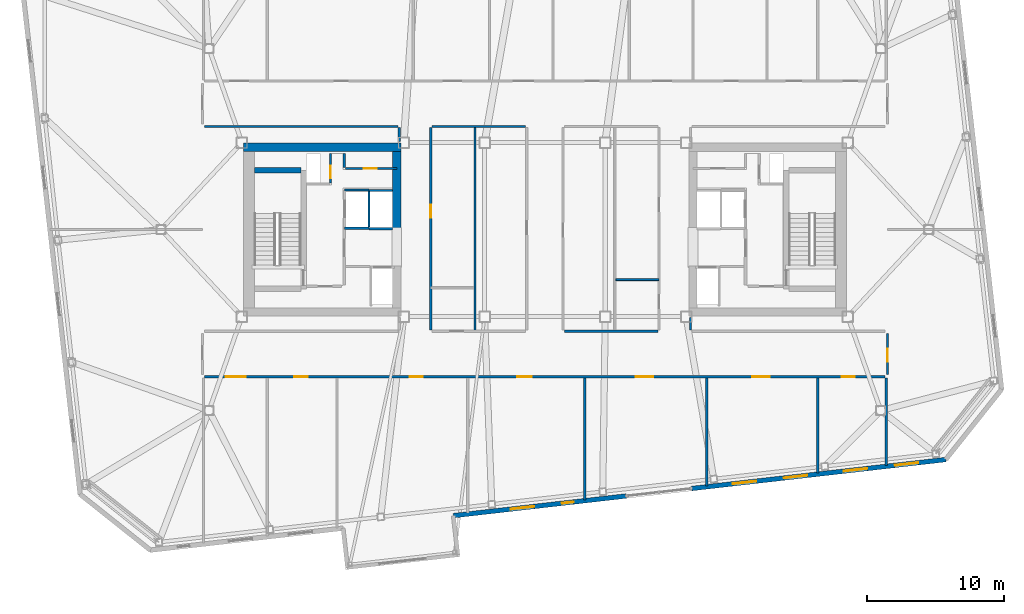
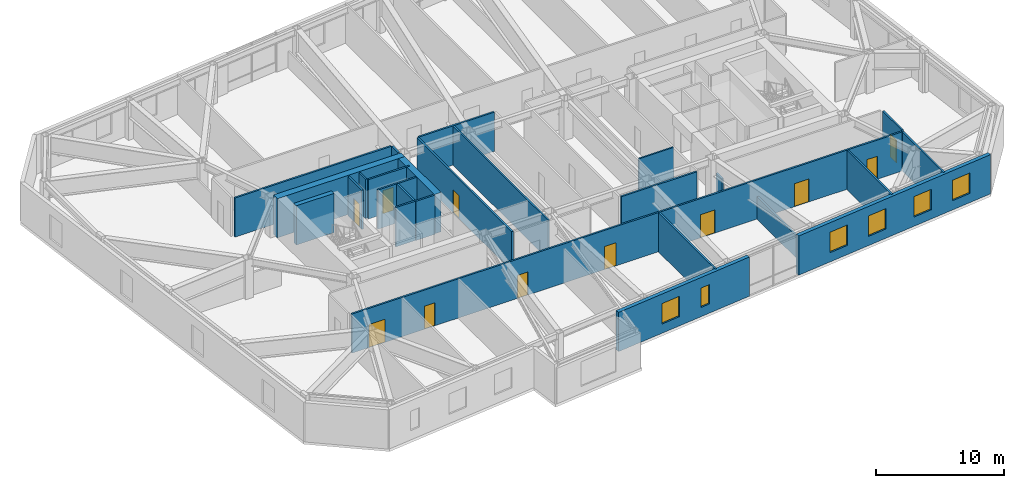
# One storey, part 12 of 18: 27 walls, 11 doors, 6 windows, 17 openings.
"""IFC4 building model written with IfcOpenShell, lengths in metres."""

from ifc_helpers import new_model, si_unit, direction, frame, frame_2d, origin, place, context, subcontext, project, spatial, rectangle, extrude, material, layer, layer_set, type_object, element, fill, save


model = new_model("IFC4")

# Units and contexts
model_context = context("Model", 3, precision=1e-05, world=origin(), true_north=direction((0.0, 1.0)))
body_context = subcontext(model_context, "Body", "Model", "MODEL_VIEW")
ifc_project = project(units=[si_unit("LENGTHUNIT", "METRE"), si_unit("AREAUNIT", "SQUARE_METRE"), si_unit("VOLUMEUNIT", "CUBIC_METRE"), si_unit("PLANEANGLEUNIT", "RADIAN"), si_unit("MASSUNIT", "GRAM", prefix="KILO")], contexts=[model_context])

# Site, building, storey
site_placement = place(None, origin())
site = spatial("IfcSite", under=ifc_project, at=site_placement, CompositionType="ELEMENT")
building_placement = place(site_placement, origin())
building = spatial("IfcBuilding", under=site, at=building_placement, Name="Tavrogorsk Clinical Tower", CompositionType="ELEMENT")
storey_placement = place(building_placement, frame((0.0, 0.0, 226.199951171875)))
storey = spatial("IfcBuildingStorey", under=building, at=storey_placement, Name="L52", CompositionType="ELEMENT", Elevation=226.199951171875)

# Walls
ifc_material_1 = material(Name="Lightweight concrete blockwork B15", Category="masonry")
ifc_layer_1 = layer(ifc_material_1, 0.139892578125)
ifc_layer_set_1 = layer_set([ifc_layer_1], Name="Lightweight concrete blockwork B15")
wall_type_1 = type_object("IfcWallType", Name="PartitionWall_140", PredefinedType="PARTITIONING", material=ifc_layer_set_1)
wall_1_placement = place(storey_placement, frame((-5.10009765625, -7.4150390625, 0.0), z_axis=(0.0, 0.0, 1.0), x_axis=(0.0, 1.0, 0.0)))
element("IfcWall", 1, at=wall_1_placement, inside=storey, type_object=wall_type_1, Name="L52 Central Spine Partition 1", PredefinedType="PARTITIONING", context=body_context, shape_type="SweptSolid", body=[
    extrude(rectangle(XDim=14.929931640625, YDim=0.139892578125, at=frame_2d((7.46484375, 0.0))), origin(), (0.0, 0.0, 1.0), 3.739990234375),
])
wall_2_placement = place(storey_placement, frame((5.175048828125, -3.64990234375, 0.0), z_axis=(0.0, 0.0, 1.0), x_axis=(1.0, 0.0, 0.0)))
element("IfcWall", 2, at=wall_2_placement, inside=storey, type_object=wall_type_1, Name="L52 Central Spine Partition 4", PredefinedType="PARTITIONING", context=body_context, shape_type="SweptSolid", body=[
    extrude(rectangle(XDim=3.139892578125, YDim=0.139892578125, at=frame_2d((1.56982421875, 0.0))), origin(), (0.0, 0.0, 1.0), 3.739990234375),
])

# Wall, opening, door
ifc_material_2 = material(Name="Lightweight concrete blockwork B15", Category="masonry")
ifc_layer_2 = layer(ifc_material_2, 0.159912109375)
ifc_layer_set_2 = layer_set([ifc_layer_2], Name="Lightweight concrete blockwork B15")
wall_type_2 = type_object("IfcWallType", Name="PartitionWall_160", PredefinedType="PARTITIONING", material=ifc_layer_set_2)
wall_3_placement = place(storey_placement, frame((-14.554931640625, 4.4599609375, 0.0), z_axis=(0.0, 0.0, 1.0), x_axis=(1.0, 0.0, 0.0)))
wall_3 = element("IfcWall", 3, at=wall_3_placement, inside=storey, type_object=wall_type_2, Name="L52 Core West Pneumatic Dispatch South Wall", PredefinedType="PARTITIONING", context=body_context, shape_type="SweptSolid", body=[
    extrude(rectangle(XDim=3.7548828125, YDim=0.159912109375, at=frame_2d((1.87744140625, 0.0))), origin(), (0.0, 0.0, 1.0), 3.739990234375),
])
opening_1_placement = place(wall_3_placement, frame((1.35009765625, 0.0, 0.0)))
opening_1 = element("IfcOpeningElement", 4, at=opening_1_placement, cuts=wall_3, Name="Opening ID-02", PredefinedType="OPENING", context=body_context, shape_type="SweptSolid", body=[
    extrude(rectangle(XDim=0.949951171875, YDim=2.199951171875, at=frame_2d((0.47509765625, 1.10009765625))), frame((0.0, 0.08984375, 0.0), z_axis=(0.0, -1.0, 0.0), x_axis=(1.0, 0.0, 0.0)), (0.0, 0.0, 1.0), 0.179931640625),
])
ifc_material_3 = material(Name="Laminated timber leaf on aluminium frame", Category="wood")
door_type_1 = type_object("IfcDoorType", Name="InteriorDoor_ID02_950", OperationType="NOTDEFINED", PredefinedType="DOOR", material=ifc_material_3)
door_1_placement = place(opening_1_placement, origin())
door_1 = element("IfcDoor", 5, at=door_1_placement, inside=storey, type_object=door_type_1, Name="L52 Core West Pneumatic Dispatch Door", OperationType="SINGLE_SWING_LEFT", OverallHeight=2.199951171875, OverallWidth=0.949951171875, PredefinedType="DOOR", context=body_context, shape_type="SweptSolid", body=[
    extrude(rectangle(XDim=0.949951171875, YDim=2.199951171875, at=frame_2d((0.47509765625, 1.10009765625))), frame((0.0, 0.02490234375, 0.0), z_axis=(0.0, -1.0, 0.0), x_axis=(1.0, 0.0, 0.0)), (0.0, 0.0, 1.0), 0.050048828125),
])
fill(opening_1, door_1)

# Walls
for number, where, z_axis, x_axis, name in (
    (6, (-14.639892578125, 4.544921875, 0.0), (0.0, 0.0, 1.0), (0.0, 1.0, 0.0), "L52 Core West Pneumatic Dispatch East Wall"),
    (7, (-10.6298828125, 6.419921875, 0.0), (0.0, 0.0, 1.0), (0.0, 1.0, 0.0), "L52 Corridor Partition 04"),
):
    element("IfcWall", number, at=place(storey_placement, frame(where, z_axis=z_axis, x_axis=x_axis)), inside=storey, type_object=wall_type_2, Name=name, PredefinedType="PARTITIONING", context=body_context, shape_type="SweptSolid", body=[
        extrude(rectangle(XDim=1.01513671875, YDim=0.159912109375, at=frame_2d((0.507568359375, 0.0))), origin(), (0.0, 0.0, 1.0), 3.739990234375),
    ])
wall_4_placement = place(storey_placement, frame((-10.715087890625, 7.52001953125, 0.0), z_axis=(0.0, 0.0, 1.0), x_axis=(-1.0, 0.0, 0.0)))
element("IfcWall", 8, at=wall_4_placement, inside=storey, type_object=wall_type_2, Name="L52 Corridor Partition 05", PredefinedType="PARTITIONING", context=body_context, shape_type="SweptSolid", body=[
    extrude(rectangle(XDim=14.099853515625, YDim=0.159912109375, at=frame_2d((7.0498046875, 0.0))), origin(), (0.0, 0.0, 1.0), 3.739990234375),
])
wall_5_placement = place(storey_placement, frame((10.6298828125, -6.419921875, 0.0), z_axis=(0.0, 0.0, 1.0), x_axis=(0.0, -1.0, 0.0)))
element("IfcWall", 9, at=wall_5_placement, inside=storey, type_object=wall_type_2, Name="L52 Corridor Partition 11", PredefinedType="PARTITIONING", context=body_context, shape_type="SweptSolid", body=[
    extrude(rectangle(XDim=0.9150390625, YDim=0.159912109375, at=frame_2d((0.45751953125, 0.0))), origin(), (0.0, 0.0, 1.0), 2.135009765625),
])

# Wall, opening, door
wall_6_placement = place(storey_placement, frame((24.97998046875, -7.5849609375, 0.0), z_axis=(0.0, 0.0, 1.0), x_axis=(0.0, -1.0, 0.0)))
wall_6 = element("IfcWall", 10, at=wall_6_placement, inside=storey, type_object=wall_type_2, Name="L52 Corridor Partition 13", PredefinedType="PARTITIONING", context=body_context, shape_type="SweptSolid", body=[
    extrude(rectangle(XDim=2.97998046875, YDim=0.159912109375, at=frame_2d((1.489990234375, 0.0))), origin(), (0.0, 0.0, 1.0), 3.739990234375),
])
opening_2_placement = place(wall_6_placement, frame((1.10009765625, 0.0, 0.0)))
opening_2 = element("IfcOpeningElement", 11, at=opening_2_placement, cuts=wall_6, Name="Opening ID-02", PredefinedType="OPENING", context=body_context, shape_type="SweptSolid", body=[
    extrude(rectangle(XDim=0.949951171875, YDim=2.199951171875, at=frame_2d((0.47509765625, 1.10009765625))), frame((0.0, 0.08984375, 0.0), z_axis=(0.0, -1.0, 0.0), x_axis=(1.0, 0.0, 0.0)), (0.0, 0.0, 1.0), 0.179931640625),
])
door_2_placement = place(opening_2_placement, origin())
door_2 = element("IfcDoor", 12, at=door_2_placement, inside=storey, type_object=door_type_1, Name="L52 E Senior Clinician Suite 1 Door", OperationType="SINGLE_SWING_LEFT", OverallHeight=2.199951171875, OverallWidth=0.949951171875, PredefinedType="DOOR", context=body_context, shape_type="SweptSolid", body=[
    extrude(rectangle(XDim=0.949951171875, YDim=2.199951171875, at=frame_2d((0.47509765625, 1.10009765625))), frame((0.0, 0.02490234375, 0.0), z_axis=(0.0, -1.0, 0.0), x_axis=(1.0, 0.0, 0.0)), (0.0, 0.0, 1.0), 0.050048828125),
])
fill(opening_2, door_2)

# Wall, openings, doors
wall_7_placement = place(storey_placement, frame((24.81494140625, -10.72998046875, 0.0), z_axis=(0.0, 0.0, 1.0), x_axis=(-1.0, 0.0, 0.0)))
wall_7 = element("IfcWall", 13, at=wall_7_placement, inside=storey, type_object=wall_type_2, Name="L52 Corridor Partition 14", PredefinedType="PARTITIONING", context=body_context, shape_type="SweptSolid", body=[
    extrude(rectangle(XDim=49.6298828125, YDim=0.159912109375, at=frame_2d((24.81494140625, 0.0))), origin(), (0.0, 0.0, 1.0), 3.739990234375),
])
opening_3_placement = place(wall_7_placement, frame((46.630859375, 0.0, 0.0)))
opening_3 = element("IfcOpeningElement", 14, at=opening_3_placement, cuts=wall_7, Name="Opening ID-05", PredefinedType="OPENING", context=body_context, shape_type="SweptSolid", body=[
    extrude(rectangle(XDim=1.449951171875, YDim=2.199951171875, at=frame_2d((0.72509765625, 1.10009765625))), frame((0.0, 0.08984375, 0.0), z_axis=(0.0, -1.0, 0.0), x_axis=(1.0, 0.0, 0.0)), (0.0, 0.0, 1.0), 0.179931640625),
])
opening_4_placement = place(wall_7_placement, frame((42.1298828125, 0.0, 0.0)))
opening_4 = element("IfcOpeningElement", 15, at=opening_4_placement, cuts=wall_7, Name="Opening ID-02", PredefinedType="OPENING", context=body_context, shape_type="SweptSolid", body=[
    extrude(rectangle(XDim=0.949951171875, YDim=2.199951171875, at=frame_2d((0.47509765625, 1.10009765625))), frame((0.0, 0.08984375, 0.0), z_axis=(0.0, -1.0, 0.0), x_axis=(1.0, 0.0, 0.0)), (0.0, 0.0, 1.0), 0.179931640625),
])
opening_5_placement = place(wall_7_placement, frame((33.739990234375, 0.0, 0.0)))
opening_5 = element("IfcOpeningElement", 16, at=opening_5_placement, cuts=wall_7, Name="Opening ID-02", PredefinedType="OPENING", context=body_context, shape_type="SweptSolid", body=[
    extrude(rectangle(XDim=0.949951171875, YDim=2.199951171875, at=frame_2d((0.47509765625, 1.10009765625))), frame((0.0, 0.08984375, 0.0), z_axis=(0.0, -1.0, 0.0), x_axis=(1.0, 0.0, 0.0)), (0.0, 0.0, 1.0), 0.179931640625),
])
opening_6_placement = place(wall_7_placement, frame((25.7900390625, 0.0, 0.0)))
opening_6 = element("IfcOpeningElement", 17, at=opening_6_placement, cuts=wall_7, Name="Opening ID-04", PredefinedType="OPENING", context=body_context, shape_type="SweptSolid", body=[
    extrude(rectangle(XDim=1.050048828125, YDim=2.199951171875, at=frame_2d((0.52490234375, 1.10009765625))), frame((0.0, 0.08984375, 0.0), z_axis=(0.0, -1.0, 0.0), x_axis=(1.0, 0.0, 0.0)), (0.0, 0.0, 1.0), 0.179931640625),
])
opening_7_placement = place(wall_7_placement, frame((16.89990234375, 0.0, 0.0)))
opening_7 = element("IfcOpeningElement", 18, at=opening_7_placement, cuts=wall_7, Name="Opening ID-01", PredefinedType="OPENING", context=body_context, shape_type="SweptSolid", body=[
    extrude(rectangle(XDim=1.300048828125, YDim=2.199951171875, at=frame_2d((0.64990234375, 1.10009765625))), frame((0.0, 0.08984375, 0.0), z_axis=(0.0, -1.0, 0.0), x_axis=(1.0, 0.0, 0.0)), (0.0, 0.0, 1.0), 0.179931640625),
])
opening_8_placement = place(wall_7_placement, frame((8.39990234375, 0.0, 0.0)))
opening_8 = element("IfcOpeningElement", 19, at=opening_8_placement, cuts=wall_7, Name="Opening ID-01", PredefinedType="OPENING", context=body_context, shape_type="SweptSolid", body=[
    extrude(rectangle(XDim=1.300048828125, YDim=2.199951171875, at=frame_2d((0.64990234375, 1.10009765625))), frame((0.0, 0.08984375, 0.0), z_axis=(0.0, -1.0, 0.0), x_axis=(1.0, 0.0, 0.0)), (0.0, 0.0, 1.0), 0.179931640625),
])
opening_9_placement = place(wall_7_placement, frame((2.218994140625, 0.0, 0.0)))
opening_9 = element("IfcOpeningElement", 20, at=opening_9_placement, cuts=wall_7, Name="Opening ID-02", PredefinedType="OPENING", context=body_context, shape_type="SweptSolid", body=[
    extrude(rectangle(XDim=0.949951171875, YDim=2.199951171875, at=frame_2d((0.47509765625, 1.10009765625))), frame((0.0, 0.08984375, 0.0), z_axis=(0.0, -1.0, 0.0), x_axis=(1.0, 0.0, 0.0)), (0.0, 0.0, 1.0), 0.179931640625),
])
ifc_material_4 = material(Name="Antibacterial HPL consultation door on aluminium frame", Category="aluminium")
door_type_2 = type_object("IfcDoorType", Name="ConsultDoor_ID04_1050", OperationType="NOTDEFINED", PredefinedType="DOOR", material=ifc_material_4)
door_3_placement = place(opening_6_placement, origin())
door_3 = element("IfcDoor", 21, at=door_3_placement, inside=storey, type_object=door_type_2, Name="L52 South Staff Rest & Nourishment Lounge 04 Door", OperationType="SINGLE_SWING_LEFT", OverallHeight=2.199951171875, OverallWidth=1.050048828125, PredefinedType="DOOR", context=body_context, shape_type="SweptSolid", body=[
    extrude(rectangle(XDim=1.050048828125, YDim=2.199951171875, at=frame_2d((0.52490234375, 1.10009765625))), frame((0.0, 0.02490234375, 0.0), z_axis=(0.0, -1.0, 0.0), x_axis=(1.0, 0.0, 0.0)), (0.0, 0.0, 1.0), 0.050048828125),
])
fill(opening_6, door_3)
ifc_material_5 = material(Name="Antibacterial HPL bariatric ward double door")
door_type_3 = type_object("IfcDoorType", Name="DoubleWardDoor_ID05_1450", OperationType="DOUBLE_SWING_LEFT", PredefinedType="DOOR", material=ifc_material_5)
door_4_placement = place(opening_3_placement, origin())
door_4 = element("IfcDoor", 22, at=door_4_placement, inside=storey, type_object=door_type_3, Name="L52 South Surgical Step-Down Ward 01 Door", OperationType="DOUBLE_SWING_LEFT", OverallHeight=2.199951171875, OverallWidth=1.449951171875, PredefinedType="DOOR", context=body_context, shape_type="SweptSolid", body=[
    extrude(rectangle(XDim=1.449951171875, YDim=2.199951171875, at=frame_2d((0.72509765625, 1.10009765625))), frame((0.0, 0.02490234375, 0.0), z_axis=(0.0, -1.0, 0.0), x_axis=(1.0, 0.0, 0.0)), (0.0, 0.0, 1.0), 0.050048828125),
])
fill(opening_3, door_4)
door_5_placement = place(opening_4_placement, origin())
door_5 = element("IfcDoor", 23, at=door_5_placement, inside=storey, type_object=door_type_1, Name="L52 South Soiled Utility & Sluice Room 02 Door", OperationType="SINGLE_SWING_LEFT", OverallHeight=2.199951171875, OverallWidth=0.949951171875, PredefinedType="DOOR", context=body_context, shape_type="SweptSolid", body=[
    extrude(rectangle(XDim=0.949951171875, YDim=2.199951171875, at=frame_2d((0.47509765625, 1.10009765625))), frame((0.0, 0.02490234375, 0.0), z_axis=(0.0, -1.0, 0.0), x_axis=(1.0, 0.0, 0.0)), (0.0, 0.0, 1.0), 0.050048828125),
])
fill(opening_4, door_5)
door_6_placement = place(opening_5_placement, origin())
door_6 = element("IfcDoor", 24, at=door_6_placement, inside=storey, type_object=door_type_1, Name="L52 South Clinical Case Seminar Room 03 Door", OperationType="SINGLE_SWING_RIGHT", OverallHeight=2.199951171875, OverallWidth=0.949951171875, PredefinedType="DOOR", context=body_context, shape_type="SweptSolid", body=[
    extrude(rectangle(XDim=0.949951171875, YDim=2.199951171875, at=frame_2d((0.47509765625, 1.10009765625))), frame((0.0, 0.02490234375, 0.0), z_axis=(0.0, -1.0, 0.0), x_axis=(1.0, 0.0, 0.0)), (0.0, 0.0, 1.0), 0.050048828125),
])
fill(opening_5, door_6)
door_7_placement = place(opening_9_placement, origin())
door_7 = element("IfcDoor", 25, at=door_7_placement, inside=storey, type_object=door_type_1, Name="L52 South Soiled Utility & Sluice Room 07 Door", OperationType="SINGLE_SWING_RIGHT", OverallHeight=2.199951171875, OverallWidth=0.949951171875, PredefinedType="DOOR", context=body_context, shape_type="SweptSolid", body=[
    extrude(rectangle(XDim=0.949951171875, YDim=2.199951171875, at=frame_2d((0.47509765625, 1.10009765625))), frame((0.0, 0.02490234375, 0.0), z_axis=(0.0, -1.0, 0.0), x_axis=(1.0, 0.0, 0.0)), (0.0, 0.0, 1.0), 0.050048828125),
])
fill(opening_9, door_7)
ifc_material_6 = material(Name="Antibacterial HPL medical leaf on aluminium frame", Category="aluminium")
door_type_4 = type_object("IfcDoorType", Name="WardBedDoor_ID01_1300", OperationType="NOTDEFINED", PredefinedType="DOOR", material=ifc_material_6)
door_8_placement = place(opening_7_placement, origin())
door_8 = element("IfcDoor", 26, at=door_8_placement, inside=storey, type_object=door_type_4, Name="L52 South Bariatric Observation Ward 05 Door", OperationType="SINGLE_SWING_RIGHT", OverallHeight=2.199951171875, OverallWidth=1.300048828125, PredefinedType="DOOR", context=body_context, shape_type="SweptSolid", body=[
    extrude(rectangle(XDim=1.300048828125, YDim=2.199951171875, at=frame_2d((0.64990234375, 1.10009765625))), frame((0.0, 0.02490234375, 0.0), z_axis=(0.0, -1.0, 0.0), x_axis=(1.0, 0.0, 0.0)), (0.0, 0.0, 1.0), 0.050048828125),
])
fill(opening_7, door_8)
door_9_placement = place(opening_8_placement, origin())
door_9 = element("IfcDoor", 27, at=door_9_placement, inside=storey, type_object=door_type_4, Name="L52 South Surgical Step-Down Ward 06 Door", OperationType="SINGLE_SWING_LEFT", OverallHeight=2.199951171875, OverallWidth=1.300048828125, PredefinedType="DOOR", context=body_context, shape_type="SweptSolid", body=[
    extrude(rectangle(XDim=1.300048828125, YDim=2.199951171875, at=frame_2d((0.64990234375, 1.10009765625))), frame((0.0, 0.02490234375, 0.0), z_axis=(0.0, -1.0, 0.0), x_axis=(1.0, 0.0, 0.0)), (0.0, 0.0, 1.0), 0.050048828125),
])
fill(opening_8, door_9)

# Walls
for number, where, z_axis, x_axis, name in (
    (28, (1.4150390625, -7.419921875, 0.0), (0.0, 0.0, 1.0), (1.0, 0.0, 0.0), "L52 Corridor Partition 17"),
    (29, (-1.4150390625, 7.52001953125, 0.0), (0.0, 0.0, 1.0), (-1.0, 0.0, 0.0), "L52 Corridor Partition 20"),
):
    element("IfcWall", number, at=place(storey_placement, frame(where, z_axis=z_axis, x_axis=x_axis)), inside=storey, type_object=wall_type_2, Name=name, PredefinedType="PARTITIONING", context=body_context, shape_type="SweptSolid", body=[
        extrude(rectangle(XDim=6.820068359375, YDim=0.159912109375, at=frame_2d((3.41015625, 0.0))), origin(), (0.0, 0.0, 1.0), 3.739990234375),
    ])

# Wall, opening, door
wall_8_placement = place(storey_placement, frame((-8.320068359375, 7.43505859375, 0.0), z_axis=(0.0, 0.0, 1.0), x_axis=(0.0, -1.0, 0.0)))
wall_8 = element("IfcWall", 30, at=wall_8_placement, inside=storey, type_object=wall_type_2, Name="L52 Corridor Partition 21", PredefinedType="PARTITIONING", context=body_context, shape_type="SweptSolid", body=[
    extrude(rectangle(XDim=14.77001953125, YDim=0.159912109375, at=frame_2d((7.385009765625, 0.0))), origin(), (0.0, 0.0, 1.0), 3.739990234375),
])
opening_10_placement = place(wall_8_placement, frame((5.60400390625, 0.0, 0.0)))
opening_10 = element("IfcOpeningElement", 31, at=opening_10_placement, cuts=wall_8, Name="Opening ID-02", PredefinedType="OPENING", context=body_context, shape_type="SweptSolid", body=[
    extrude(rectangle(XDim=0.949951171875, YDim=2.199951171875, at=frame_2d((0.47509765625, 1.10009765625))), frame((0.0, 0.08984375, 0.0), z_axis=(0.0, -1.0, 0.0), x_axis=(1.0, 0.0, 0.0)), (0.0, 0.0, 1.0), 0.179931640625),
])
door_10_placement = place(opening_10_placement, origin())
door_10 = element("IfcDoor", 32, at=door_10_placement, inside=storey, type_object=door_type_1, Name="L52 Ward Nourishment Pantry Door", OperationType="SINGLE_SWING_RIGHT", OverallHeight=2.199951171875, OverallWidth=0.949951171875, PredefinedType="DOOR", context=body_context, shape_type="SweptSolid", body=[
    extrude(rectangle(XDim=0.949951171875, YDim=2.199951171875, at=frame_2d((0.47509765625, 1.10009765625))), frame((0.0, 0.02490234375, 0.0), z_axis=(0.0, -1.0, 0.0), x_axis=(1.0, 0.0, 0.0)), (0.0, 0.0, 1.0), 0.050048828125),
])
fill(opening_10, door_10)

# Walls
wall_9_placement = place(storey_placement, frame((24.89990234375, -17.199462890625, 0.0), z_axis=(0.0, 0.0, 1.0), x_axis=(0.0, 1.0, 0.0)))
element("IfcWall", 33, at=wall_9_placement, inside=storey, type_object=wall_type_2, Name="L52 SE Wing Closure Partition", PredefinedType="PARTITIONING", context=body_context, shape_type="SweptSolid", body=[
    extrude(rectangle(XDim=6.384521484375, YDim=0.159912109375, at=frame_2d((3.1923828125, 0.0))), origin(), (0.0, 0.0, 1.0), 3.739990234375),
])
wall_10_placement = place(storey_placement, frame((2.89990234375, -19.7060546875, 0.0), z_axis=(0.0, 0.0, 1.0), x_axis=(0.0, 1.0, 0.0)))
element("IfcWall", 34, at=wall_10_placement, inside=storey, type_object=wall_type_2, Name="L52 South Room Partition 4", PredefinedType="PARTITIONING", context=body_context, shape_type="SweptSolid", body=[
    extrude(rectangle(XDim=8.89111328125, YDim=0.159912109375, at=frame_2d((4.445556640625, 0.0))), origin(), (0.0, 0.0, 1.0), 3.739990234375),
])
wall_11_placement = place(storey_placement, frame((11.800048828125, -18.69189453125, 0.0), z_axis=(0.0, 0.0, 1.0), x_axis=(0.0, 1.0, 0.0)))
element("IfcWall", 35, at=wall_11_placement, inside=storey, type_object=wall_type_2, Name="L52 South Room Partition 5", PredefinedType="PARTITIONING", context=body_context, shape_type="SweptSolid", body=[
    extrude(rectangle(XDim=7.876953125, YDim=0.159912109375, at=frame_2d((3.9384765625, 0.0))), origin(), (0.0, 0.0, 1.0), 2.135009765625),
])
wall_12_placement = place(storey_placement, frame((19.89990234375, -17.76904296875, 0.0), z_axis=(0.0, 0.0, 1.0), x_axis=(0.0, 1.0, 0.0)))
element("IfcWall", 36, at=wall_12_placement, inside=storey, type_object=wall_type_2, Name="L52 South Room Partition 6", PredefinedType="PARTITIONING", context=body_context, shape_type="SweptSolid", body=[
    extrude(rectangle(XDim=6.9541015625, YDim=0.159912109375, at=frame_2d((3.47705078125, 0.0))), origin(), (0.0, 0.0, 1.0), 3.739990234375),
])

# Wall, openings, windows
ifc_material_7 = material(Name="Precast concrete B45 with limestone cladding", Category="masonry")
ifc_layer_3 = layer(ifc_material_7, 0.340087890625)
ifc_layer_set_3 = layer_set([ifc_layer_3], Name="Precast concrete B45 with limestone cladding")
wall_type_3 = type_object("IfcWallType", Name="PrecastLimestoneWall_340", PredefinedType="STANDARD", material=ifc_layer_set_3)
wall_13_placement = place(storey_placement, frame((-6.675537109375, -20.867431640625, 0.0), z_axis=(0.0, 0.0, 1.0), x_axis=(0.993572024997, 0.113201727649, 0.0)))
wall_13 = element("IfcWall", 37, at=wall_13_placement, inside=storey, type_object=wall_type_3, Name="L52 S Limestone Facade Wall 2", PredefinedType="STANDARD", context=body_context, shape_type="SweptSolid", body=[
    extrude(rectangle(XDim=12.698486328125, YDim=0.340087890625, at=frame_2d((6.34912109375, 0.0))), origin(), (0.0, 0.0, 1.0), 3.739990234375),
])
opening_11_placement = place(wall_13_placement, frame((4.225830078125, 0.0, 0.8798828125)))
opening_11 = element("IfcOpeningElement", 38, at=opening_11_placement, cuts=wall_13, Name="Opening WN-15", PredefinedType="OPENING", context=body_context, shape_type="SweptSolid", body=[
    extrude(rectangle(XDim=1.699951171875, YDim=1.949951171875, at=frame_2d((0.85009765625, 0.97509765625))), frame((0.0, 0.179931640625, 0.0), z_axis=(0.0, -1.0, 0.0), x_axis=(1.0, 0.0, 0.0)), (0.0, 0.0, 1.0), 0.360107421875),
])
opening_12_placement = place(wall_13_placement, frame((7.97412109375, 0.0, 0.8798828125)))
opening_12 = element("IfcOpeningElement", 39, at=opening_12_placement, cuts=wall_13, Name="Opening WN-06", PredefinedType="OPENING", context=body_context, shape_type="SweptSolid", body=[
    extrude(rectangle(XDim=0.85009765625, YDim=1.85009765625, at=frame_2d((0.425048828125, 0.925048828125))), frame((0.0, 0.179931640625, 0.0), z_axis=(0.0, -1.0, 0.0), x_axis=(1.0, 0.0, 0.0)), (0.0, 0.0, 1.0), 0.360107421875),
])
ifc_material_8 = material(Name="Thermally broken aluminium frame and triple IGU", Category="aluminium")
window_type_1 = type_object("IfcWindowType", Name="MullionSubWin_850x1850", PartitioningType="SINGLE_PANEL", PredefinedType="WINDOW", material=ifc_material_8)
window_1_placement = place(opening_12_placement, origin())
window_1 = element("IfcWindow", 40, at=window_1_placement, inside=storey, type_object=window_type_1, Name="L52 S Mullion Split Window 06A", OverallHeight=1.85009765625, OverallWidth=0.85009765625, PartitioningType="SINGLE_PANEL", PredefinedType="WINDOW", context=body_context, shape_type="SweptSolid", body=[
    extrude(rectangle(XDim=0.85009765625, YDim=1.85009765625, at=frame_2d((0.425048828125, 0.925048828125))), frame((0.0, 0.030029296875, 0.0), z_axis=(0.0, -1.0, 0.0), x_axis=(1.0, 0.0, 0.0)), (0.0, 0.0, 1.0), 0.06005859375),
])
fill(opening_12, window_1)
ifc_material_9 = material(Name="Thermally broken aluminium frame and triple IGU", Category="aluminium")
window_type_2 = type_object("IfcWindowType", Name="OfficeChicagoWin_1700x1950", PartitioningType="SINGLE_PANEL", PredefinedType="WINDOW", material=ifc_material_9)
window_2_placement = place(opening_11_placement, origin())
window_2 = element("IfcWindow", 41, at=window_2_placement, inside=storey, type_object=window_type_2, Name="L52 S Chicago Window 05", OverallHeight=1.949951171875, OverallWidth=1.699951171875, PartitioningType="SINGLE_PANEL", PredefinedType="WINDOW", context=body_context, shape_type="SweptSolid", body=[
    extrude(rectangle(XDim=1.699951171875, YDim=1.949951171875, at=frame_2d((0.85009765625, 0.97509765625))), frame((0.0, 0.030029296875, 0.0), z_axis=(0.0, -1.0, 0.0), x_axis=(1.0, 0.0, 0.0)), (0.0, 0.0, 1.0), 0.06005859375),
])
fill(opening_11, window_2)

wall_14_placement = place(storey_placement, frame((10.71044921875, -18.886474609375, 0.0), z_axis=(0.0, 0.0, 1.0), x_axis=(0.993572271362, 0.113199565282, 0.0)))
wall_14 = element("IfcWall", 42, at=wall_14_placement, inside=storey, type_object=wall_type_3, Name="L52 S Limestone Facade Wall 3", PredefinedType="STANDARD", context=body_context, shape_type="SweptSolid", body=[
    extrude(rectangle(XDim=18.6513671875, YDim=0.340087890625, at=frame_2d((9.32568359375, 0.0))), origin(), (0.0, 0.0, 1.0), 3.739990234375),
])
opening_13_placement = place(wall_14_placement, frame((3.0244140625, 0.0, 0.8798828125)))
opening_13 = element("IfcOpeningElement", 43, at=opening_13_placement, cuts=wall_14, Name="Opening WN-15", PredefinedType="OPENING", context=body_context, shape_type="SweptSolid", body=[
    extrude(rectangle(XDim=1.699951171875, YDim=1.949951171875, at=frame_2d((0.85009765625, 0.97509765625))), frame((0.0, 0.179931640625, 0.0), z_axis=(0.0, -1.0, 0.0), x_axis=(1.0, 0.0, 0.0)), (0.0, 0.0, 1.0), 0.360107421875),
])
opening_14_placement = place(wall_14_placement, frame((6.772705078125, 0.0, 0.8798828125)))
opening_14 = element("IfcOpeningElement", 44, at=opening_14_placement, cuts=wall_14, Name="Opening WN-15", PredefinedType="OPENING", context=body_context, shape_type="SweptSolid", body=[
    extrude(rectangle(XDim=1.699951171875, YDim=1.949951171875, at=frame_2d((0.85009765625, 0.97509765625))), frame((0.0, 0.179931640625, 0.0), z_axis=(0.0, -1.0, 0.0), x_axis=(1.0, 0.0, 0.0)), (0.0, 0.0, 1.0), 0.360107421875),
])
opening_15_placement = place(wall_14_placement, frame((11.1728515625, 0.0, 0.8798828125)))
opening_15 = element("IfcOpeningElement", 45, at=opening_15_placement, cuts=wall_14, Name="Opening WN-15", PredefinedType="OPENING", context=body_context, shape_type="SweptSolid", body=[
    extrude(rectangle(XDim=1.699951171875, YDim=1.949951171875, at=frame_2d((0.85009765625, 0.97509765625))), frame((0.0, 0.179931640625, 0.0), z_axis=(0.0, -1.0, 0.0), x_axis=(1.0, 0.0, 0.0)), (0.0, 0.0, 1.0), 0.360107421875),
])
opening_16_placement = place(wall_14_placement, frame((14.921142578125, 0.0, 0.8798828125)))
opening_16 = element("IfcOpeningElement", 46, at=opening_16_placement, cuts=wall_14, Name="Opening WN-15", PredefinedType="OPENING", context=body_context, shape_type="SweptSolid", body=[
    extrude(rectangle(XDim=1.699951171875, YDim=1.949951171875, at=frame_2d((0.85009765625, 0.97509765625))), frame((0.0, 0.179931640625, 0.0), z_axis=(0.0, -1.0, 0.0), x_axis=(1.0, 0.0, 0.0)), (0.0, 0.0, 1.0), 0.360107421875),
])
window_3_placement = place(opening_13_placement, origin())
window_3 = element("IfcWindow", 47, at=window_3_placement, inside=storey, type_object=window_type_2, Name="L52 S Chicago Window 07", OverallHeight=1.949951171875, OverallWidth=1.699951171875, PartitioningType="SINGLE_PANEL", PredefinedType="WINDOW", context=body_context, shape_type="SweptSolid", body=[
    extrude(rectangle(XDim=1.699951171875, YDim=1.949951171875, at=frame_2d((0.85009765625, 0.97509765625))), frame((0.0, 0.030029296875, 0.0), z_axis=(0.0, -1.0, 0.0), x_axis=(1.0, 0.0, 0.0)), (0.0, 0.0, 1.0), 0.06005859375),
])
fill(opening_13, window_3)
window_4_placement = place(opening_14_placement, origin())
window_4 = element("IfcWindow", 48, at=window_4_placement, inside=storey, type_object=window_type_2, Name="L52 S Chicago Window 08", OverallHeight=1.949951171875, OverallWidth=1.699951171875, PartitioningType="SINGLE_PANEL", PredefinedType="WINDOW", context=body_context, shape_type="SweptSolid", body=[
    extrude(rectangle(XDim=1.699951171875, YDim=1.949951171875, at=frame_2d((0.85009765625, 0.97509765625))), frame((0.0, 0.030029296875, 0.0), z_axis=(0.0, -1.0, 0.0), x_axis=(1.0, 0.0, 0.0)), (0.0, 0.0, 1.0), 0.06005859375),
])
fill(opening_14, window_4)
window_5_placement = place(opening_15_placement, origin())
window_5 = element("IfcWindow", 49, at=window_5_placement, inside=storey, type_object=window_type_2, Name="L52 S Chicago Window 09", OverallHeight=1.949951171875, OverallWidth=1.699951171875, PartitioningType="SINGLE_PANEL", PredefinedType="WINDOW", context=body_context, shape_type="SweptSolid", body=[
    extrude(rectangle(XDim=1.699951171875, YDim=1.949951171875, at=frame_2d((0.85009765625, 0.97509765625))), frame((0.0, 0.030029296875, 0.0), z_axis=(0.0, -1.0, 0.0), x_axis=(1.0, 0.0, 0.0)), (0.0, 0.0, 1.0), 0.06005859375),
])
fill(opening_15, window_5)
window_6_placement = place(opening_16_placement, origin())
window_6 = element("IfcWindow", 50, at=window_6_placement, inside=storey, type_object=window_type_2, Name="L52 S Chicago Window 10", OverallHeight=1.949951171875, OverallWidth=1.699951171875, PartitioningType="SINGLE_PANEL", PredefinedType="WINDOW", context=body_context, shape_type="SweptSolid", body=[
    extrude(rectangle(XDim=1.699951171875, YDim=1.949951171875, at=frame_2d((0.85009765625, 0.97509765625))), frame((0.0, 0.030029296875, 0.0), z_axis=(0.0, -1.0, 0.0), x_axis=(1.0, 0.0, 0.0)), (0.0, 0.0, 1.0), 0.06005859375),
])
fill(opening_16, window_6)

# Walls
ifc_material_10 = material(Name="Lightweight concrete blockwork B25", Category="masonry")
ifc_layer_4 = layer(ifc_material_10, 0.159912109375)
ifc_layer_set_4 = layer_set([ifc_layer_4], Name="Lightweight concrete blockwork B25")
wall_type_4 = type_object("IfcWallType", Name="ShaftWall_160", PredefinedType="PARTITIONING", material=ifc_layer_set_4)
for number, where, z_axis, x_axis, name in (
    (51, (-14.60009765625, 0.10009765625, 0.0), (0.0, 0.0, 1.0), (1.0, 0.0, 0.0), "L52 FFL-W Shaft South Wall"),
    (52, (-14.60009765625, 2.8798828125, 0.0), (0.0, 0.0, 1.0), (1.0, 0.0, 0.0), "L52 FFL-W Shaft North Wall"),
):
    element("IfcWall", number, at=place(storey_placement, frame(where, z_axis=z_axis, x_axis=x_axis)), inside=storey, type_object=wall_type_4, Name=name, PredefinedType="PARTITIONING", context=body_context, shape_type="SweptSolid", body=[
        extrude(rectangle(XDim=1.760009765625, YDim=0.159912109375, at=frame_2d((0.8798828125, 0.0))), origin(), (0.0, 0.0, 1.0), 3.739990234375),
    ])
wall_15_placement = place(storey_placement, frame((-12.840087890625, 0.179931640625, 0.0), z_axis=(0.0, 0.0, 1.0), x_axis=(0.0, 1.0, 0.0)))
element("IfcWall", 53, at=wall_15_placement, inside=storey, type_object=wall_type_4, Name="L52 FFL-W Shaft Back Wall", PredefinedType="PARTITIONING", context=body_context, shape_type="SweptSolid", body=[
    extrude(rectangle(XDim=2.6201171875, YDim=0.159912109375, at=frame_2d((1.31005859375, 0.0))), origin(), (0.0, 0.0, 1.0), 3.739990234375),
])
for number, where, z_axis, x_axis, name in (
    (54, (-12.820068359375, 0.06005859375, 0.0), (0.0, 0.0, 1.0), (1.0, 0.0, 0.0), "L52 LP-H1 High-Zone Lift Portal Wall"),
    (55, (-12.820068359375, 2.860107421875, 0.0), (0.0, 0.0, 1.0), (1.0, 0.0, 0.0), "L52 LP-H1 High-Zone Lift Rear Wall"),
):
    element("IfcWall", number, at=place(storey_placement, frame(where, z_axis=z_axis, x_axis=x_axis)), inside=storey, type_object=wall_type_4, Name=name, PredefinedType="PARTITIONING", context=body_context, shape_type="SweptSolid", body=[
        extrude(rectangle(XDim=1.719970703125, YDim=0.159912109375, at=frame_2d((0.85986328125, 0.0))), origin(), (0.0, 0.0, 1.0), 3.739990234375),
    ])

# Wall, opening, door
wall_16_placement = place(storey_placement, frame((-15.639892578125, 3.405029296875, 0.0), z_axis=(0.0, 0.0, 1.0), x_axis=(0.0, 1.0, 0.0)))
wall_16 = element("IfcWall", 56, at=wall_16_placement, inside=storey, type_object=wall_type_4, Name="L52 Core West Riser West Wall", PredefinedType="PARTITIONING", context=body_context, shape_type="SweptSolid", body=[
    extrude(rectangle(XDim=2.155029296875, YDim=0.159912109375, at=frame_2d((1.07763671875, 0.0))), origin(), (0.0, 0.0, 1.0), 3.739990234375),
])
opening_17_placement = place(wall_16_placement, frame((0.35009765625, 0.0, 0.0)))
opening_17 = element("IfcOpeningElement", 57, at=opening_17_placement, cuts=wall_16, Name="Opening FD-02", PredefinedType="OPENING", context=body_context, shape_type="SweptSolid", body=[
    extrude(rectangle(XDim=0.89990234375, YDim=2.199951171875, at=frame_2d((0.449951171875, 1.10009765625))), frame((0.0, 0.08984375, 0.0), z_axis=(0.0, -1.0, 0.0), x_axis=(1.0, 0.0, 0.0)), (0.0, 0.0, 1.0), 0.179931640625),
])
ifc_material_11 = material(Name="Galvanised steel fire-rated door assembly", Category="steel")
door_type_5 = type_object("IfcDoorType", Name="FireDoor_FD02_900", OperationType="NOTDEFINED", PredefinedType="DOOR", material=ifc_material_11)
door_11_placement = place(opening_17_placement, origin())
door_11 = element("IfcDoor", 58, at=door_11_placement, inside=storey, type_object=door_type_5, Name="L52 Core West Electrical Riser Access Door", OperationType="SINGLE_SWING_LEFT", OverallHeight=2.199951171875, OverallWidth=0.89990234375, PredefinedType="DOOR", context=body_context, shape_type="SweptSolid", body=[
    extrude(rectangle(XDim=0.89990234375, YDim=2.199951171875, at=frame_2d((0.449951171875, 1.10009765625))), frame((0.0, 0.02490234375, 0.0), z_axis=(0.0, -1.0, 0.0), x_axis=(1.0, 0.0, 0.0)), (0.0, 0.0, 1.0), 0.050048828125),
])
fill(opening_17, door_11)

# Walls
ifc_material_12 = material(Name="Concrete B80", Category="concrete")
ifc_layer_5 = layer(ifc_material_12, 0.39990234375)
ifc_layer_set_5 = layer_set([ifc_layer_5], Name="Concrete B80")
wall_type_5 = type_object("IfcWallType", Name="ShearWall_400", PredefinedType="SHEAR", material=ifc_layer_set_5)
wall_17_placement = place(storey_placement, frame((-21.199951171875, 4.324951171875, 0.0), z_axis=(0.0, 0.0, 1.0), x_axis=(1.0, 0.0, 0.0)))
element("IfcWall", 59, at=wall_17_placement, inside=storey, type_object=wall_type_5, Name="L52 Core West Stair Shaft North Shear Wall", PredefinedType="SHEAR", context=body_context, shape_type="SweptSolid", body=[
    extrude(rectangle(XDim=3.39990234375, YDim=0.39990234375, at=frame_2d((1.699951171875, 0.0))), origin(), (0.0, 0.0, 1.0), 3.739990234375),
])
ifc_material_13 = material(Name="Concrete B80", Category="concrete")
ifc_layer_6 = layer(ifc_material_13, 0.60009765625)
ifc_layer_set_6 = layer_set([ifc_layer_6], Name="Concrete B80")
wall_type_6 = type_object("IfcWallType", Name="ShearWall_600", PredefinedType="SHEAR", material=ifc_layer_set_6)
wall_18_placement = place(storey_placement, frame((-22.0, 6.0, 0.0), z_axis=(0.0, 0.0, 1.0), x_axis=(1.0, 0.0, 0.0)))
element("IfcWall", 60, at=wall_18_placement, inside=storey, type_object=wall_type_6, Name="L52 Core West North Shear Wall", PredefinedType="SHEAR", context=body_context, shape_type="SweptSolid", body=[
    extrude(rectangle(XDim=11.5, YDim=0.60009765625, at=frame_2d((5.75, 0.0))), origin(), (0.0, 0.0, 1.0), 3.739990234375),
])
wall_19_placement = place(storey_placement, frame((-10.800048828125, 0.050048828125, 0.0), z_axis=(0.0, 0.0, 1.0), x_axis=(0.0, 1.0, 0.0)))
element("IfcWall", 61, at=wall_19_placement, inside=storey, type_object=wall_type_6, Name="L52 Core West Inner North Pier", PredefinedType="SHEAR", context=body_context, shape_type="SweptSolid", body=[
    extrude(rectangle(XDim=5.64990234375, YDim=0.60009765625, at=frame_2d((2.824951171875, 0.0))), origin(), (0.0, 0.0, 1.0), 3.739990234375),
])

save(model, "model.ifc")
